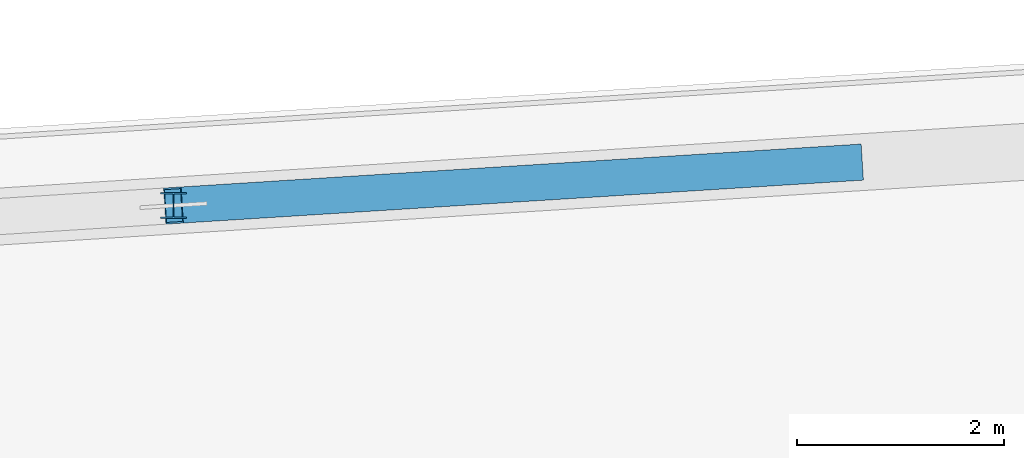
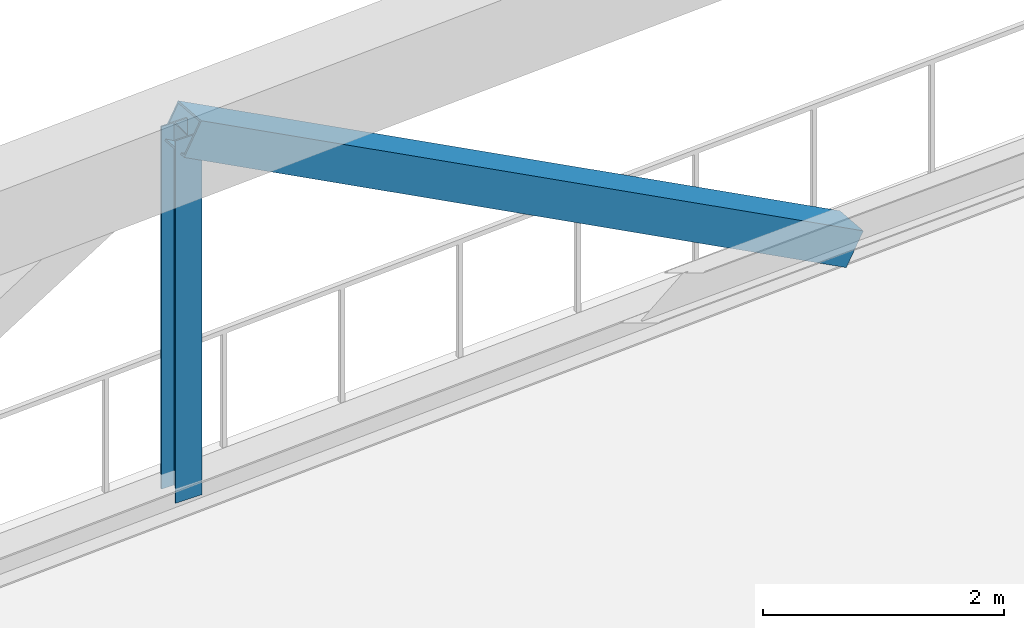
# One storey, part 7 of 25: 2 members.
"""IFC4 building model written with IfcOpenShell, lengths in metres."""

from ifc_helpers import new_model, si_unit, direction, frame, origin, origin_2d, place, context, subcontext, project, spatial, hollow_rectangle, i_section, extrude, source, transform, mapped, material, material_profile, profile_set, type_object, element, save


model = new_model("IFC4")

# Units and contexts
model_context = context("Model", 3, precision=1e-05, world=origin(), true_north=direction((0.0, 1.0)))
body_context = subcontext(model_context, "Body", "Model", "MODEL_VIEW")
ifc_project = project(units=[si_unit("LENGTHUNIT", "METRE"), si_unit("AREAUNIT", "SQUARE_METRE"), si_unit("VOLUMEUNIT", "CUBIC_METRE"), si_unit("PLANEANGLEUNIT", "RADIAN"), si_unit("MASSUNIT", "GRAM", prefix="KILO")], contexts=[model_context])

# Site, building, storey
site_placement = place(None, origin())
site = spatial("IfcSite", under=ifc_project, at=site_placement, CompositionType="ELEMENT")
building_placement = place(site_placement, origin())
building = spatial("IfcBuilding", under=site, at=building_placement, Name="Liaohun Quay Tower", CompositionType="ELEMENT")
storey_placement = place(building_placement, frame((0.0, 0.0, 231.75)))
storey = spatial("IfcBuildingStorey", under=building, at=storey_placement, Name="L60", CompositionType="ELEMENT", Elevation=231.75)

# Members
ifc_material = material(Name="Steel Q355D", Category="steel")
ifc_material_profile_1 = material_profile(ifc_material, i_section(OverallWidth=0.25, OverallDepth=0.25, WebThickness=0.009033203125, FlangeThickness=0.013916015625, at=origin_2d()), Name="HW250x250x9x14")
ifc_profile_set_1 = profile_set([ifc_material_profile_1], Name="Steel Q355D")
member_type_1 = type_object("IfcMemberType", Name="MEM-BLT-PST", PredefinedType="POST", material=ifc_profile_set_1)
shared_shape_1 = source(origin(), body_context, "Body", "SweptSolid", [
    extrude(i_section(OverallWidth=0.25, OverallDepth=0.25, WebThickness=0.009033203125, FlangeThickness=0.013916015625, at=origin_2d()), origin(), (0.0, 0.0, 1.0), 3.669921875),
])
member_1_placement = place(storey_placement, frame((47.56689453125, 76.926025390625, 0.35009765625), z_axis=(0.0, 0.0, 1.0), x_axis=(1.0, 0.0, 0.0)))
element("IfcMember", 1, at=member_1_placement, inside=storey, type_object=member_type_1, Name="L60 Belt Truss Vertical Post BP-1-03", PredefinedType="POST", context=body_context, shape_type="MappedRepresentation", body=[
    mapped(shared_shape_1, transform((0.0, 0.0, 0.0), x_axis=(1.0, 0.0, 0.0), y_axis=(0.0, 1.0, 0.0), z_axis=(0.0, 0.0, 1.0), scale=1.0)),
])
ifc_material_profile_2 = material_profile(ifc_material, hollow_rectangle(XDim=0.35009765625, YDim=0.35009765625, WallThickness=0.01611328125, at=origin_2d()), Name="SHS350x350x16")
ifc_profile_set_2 = profile_set([ifc_material_profile_2], Name="Steel Q355D")
member_type_2 = type_object("IfcMemberType", Name="MEM-BLT-DG2", PredefinedType="BRACE", material=ifc_profile_set_2)
shared_shape_2 = source(origin(), body_context, "Body", "SweptSolid", [
    extrude(hollow_rectangle(XDim=0.35009765625, YDim=0.35009765625, WallThickness=0.01611328125, at=origin_2d()), origin(), (0.0, 0.0, 1.0), 7.5439453125),
])
member_2_placement = place(storey_placement, frame((47.56689453125, 76.926025390625, 4.02001953125), z_axis=(0.871964904683, 0.055015600429, -0.486467356265), x_axis=(-0.062968615017, 0.998015507656, 0.0)))
element("IfcMember", 2, at=member_2_placement, inside=storey, type_object=member_type_2, Name="L60 Belt Truss Diagonal BD-03B", PredefinedType="BRACE", context=body_context, shape_type="MappedRepresentation", body=[
    mapped(shared_shape_2, transform((0.0, 0.0, 0.0), x_axis=(1.0, 0.0, 0.0), y_axis=(0.0, 1.0, 0.0), z_axis=(0.0, 0.0, 1.0), scale=1.0)),
])

save(model, "model.ifc")
